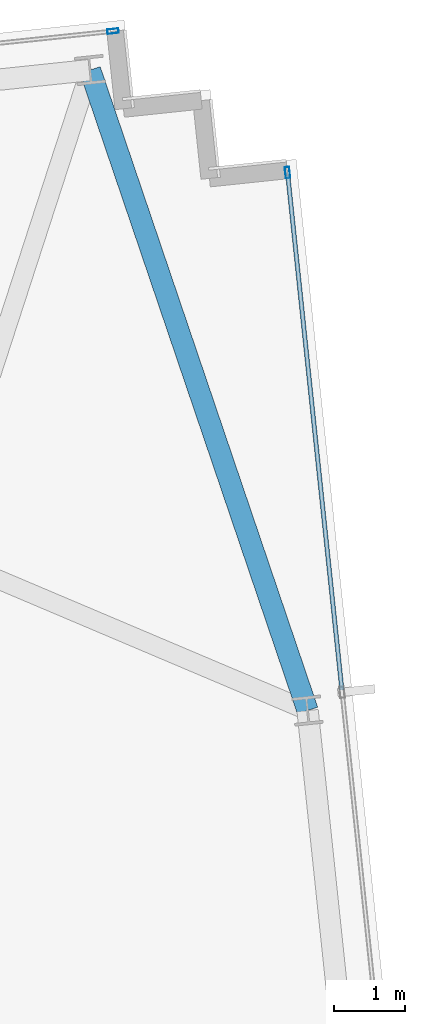
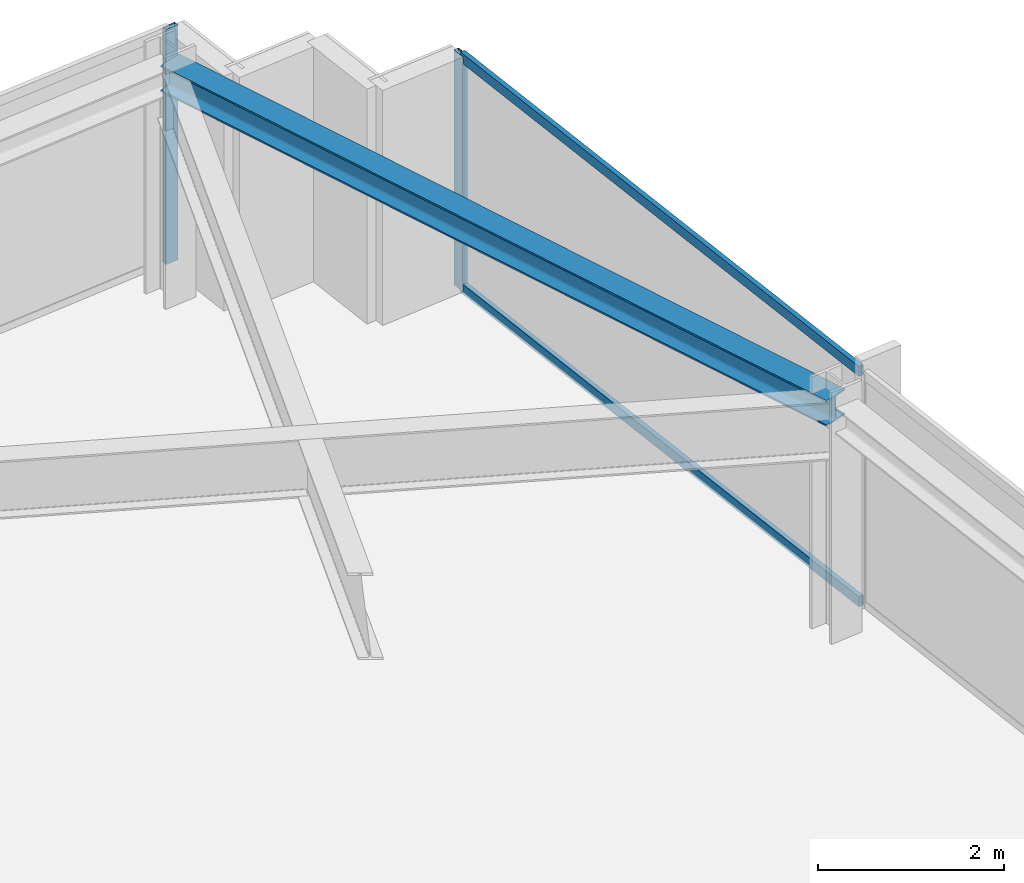
# One storey, part 25 of 32: 4 members, 1 beam, 2 elements without a shape of their own.
"""IFC4 building model written with IfcOpenShell, lengths in metres."""

from ifc_helpers import new_model, si_unit, direction, frame, origin, origin_2d, place, context, subcontext, project, spatial, hollow_rectangle, i_section, extrude, material, material_profile, profile_set, type_object, element, aggregate, save


model = new_model("IFC4")

# Units and contexts
model_context = context("Model", 3, precision=1e-05, world=origin(), true_north=direction((0.0, 1.0)))
body_context = subcontext(model_context, "Body", "Model", "MODEL_VIEW")
ifc_project = project(units=[si_unit("LENGTHUNIT", "METRE"), si_unit("AREAUNIT", "SQUARE_METRE"), si_unit("VOLUMEUNIT", "CUBIC_METRE"), si_unit("PLANEANGLEUNIT", "RADIAN"), si_unit("MASSUNIT", "GRAM", prefix="KILO")], contexts=[model_context])

# Site, building, storey
site_placement = place(None, origin())
site = spatial("IfcSite", under=ifc_project, at=site_placement, CompositionType="ELEMENT")
building_placement = place(site_placement, origin())
building = spatial("IfcBuilding", under=site, at=building_placement, Name="Yelkora Congress Tower", CompositionType="ELEMENT")
storey_placement = place(building_placement, frame((0.0, 0.0, 207.800048828125)))
storey = spatial("IfcBuildingStorey", under=building, at=storey_placement, Name="L57", CompositionType="ELEMENT", Elevation=207.800048828125)

# Beam
ifc_material_1 = material(Name="Steel S355J2", Category="steel")
ifc_material_profile_1 = material_profile(ifc_material_1, i_section(OverallWidth=0.300048828125, OverallDepth=0.340087890625, WebThickness=0.011962890625, FlangeThickness=0.021484375, FilletRadius=0.027099609375, at=origin_2d()), Name="HEB 340")
ifc_profile_set_1 = profile_set([ifc_material_profile_1], Name="Steel S355J2")
beam_type = type_object("IfcBeamType", Name="BM-SPAN-HEB340", PredefinedType="SPANDREL", material=ifc_profile_set_1)
beam_placement = place(storey_placement, frame((68.85400390625, 41.431884765625, 2.909912109375), z_axis=(-0.321575477611, 0.946883948644, 0.0), x_axis=(-0.946883948644, -0.321575477611, 0.0)))
element("IfcBeam", 1, at=beam_placement, inside=storey, type_object=beam_type, Name="L57 Perimeter Beam 12", PredefinedType="SPANDREL", context=body_context, shape_type="SweptSolid", body=[
    extrude(i_section(OverallWidth=0.300048828125, OverallDepth=0.340087890625, WebThickness=0.011962890625, FlangeThickness=0.021484375, FilletRadius=0.027099609375, at=origin_2d()), origin(), (0.0, 0.0, 1.0), 9.509765625),
])

# Curtain wall, member
ifc_material_2 = material(Name="Anodised aluminium and insulated glass", Category="aluminium")
curtain_wall_type = type_object("IfcCurtainWallType", Name="CW-SYS-B4", PredefinedType="NOTDEFINED", material=ifc_material_2)
curtain_wall_1_placement = place(storey_placement, origin())
curtain_wall_1 = element("IfcCurtainWall", 2, at=curtain_wall_1_placement, inside=storey, type_object=curtain_wall_type, Name="L57 Unitised Curtain Wall 10 (3)", PredefinedType="NOTDEFINED")
ifc_material_3 = material(Name="Anodised aluminium 6063-T6", Category="aluminium")
ifc_material_profile_2 = material_profile(ifc_material_3, hollow_rectangle(XDim=0.06494140625, YDim=0.159912109375, WallThickness=0.00390625, at=origin_2d()), Name="ALU 65x160x4")
ifc_profile_set_2 = profile_set([ifc_material_profile_2], Name="Anodised aluminium 6063-T6")
member_type_1 = type_object("IfcMemberType", Name="MEM-ML-B4", PredefinedType="MULLION", material=ifc_profile_set_2)
member_1_placement = place(storey_placement, frame((66.1181640625, 50.983154296875, 0.0), z_axis=(0.0, 0.0, 1.0), x_axis=(-0.104527724021, 0.994521973066, 0.0)))
member_1 = element("IfcMember", 3, at=member_1_placement, type_object=member_type_1, Name="CW-B4 mullion 7", PredefinedType="MULLION", context=body_context, shape_type="SweptSolid", body=[
    extrude(hollow_rectangle(XDim=0.06494140625, YDim=0.159912109375, WallThickness=0.00390625, at=origin_2d()), origin(), (0.0, 0.0, 1.0), 3.079833984375),
])
aggregate(curtain_wall_1, [member_1])

# Curtain wall, members
curtain_wall_2_placement = place(storey_placement, origin())
curtain_wall_2 = element("IfcCurtainWall", 4, at=curtain_wall_2_placement, inside=storey, type_object=curtain_wall_type, Name="L57 Unitised Curtain Wall 15", PredefinedType="NOTDEFINED")
member_2_placement = place(storey_placement, frame((68.57177734375, 48.996337890625, 0.0), z_axis=(0.0, 0.0, 1.0), x_axis=(0.994522182968, 0.104525726898, 0.0)))
member_2 = element("IfcMember", 5, at=member_2_placement, type_object=member_type_1, Name="CW-B4 mullion 1", PredefinedType="MULLION", context=body_context, shape_type="SweptSolid", body=[
    extrude(hollow_rectangle(XDim=0.06494140625, YDim=0.159912109375, WallThickness=0.00390625, at=origin_2d()), origin(), (0.0, 0.0, 1.0), 3.079833984375),
])
ifc_material_profile_3 = material_profile(ifc_material_3, hollow_rectangle(XDim=0.06005859375, YDim=0.1298828125, WallThickness=0.00390625, at=origin_2d()), Name="ALU 60x130x4")
ifc_profile_set_3 = profile_set([ifc_material_profile_3], Name="Anodised aluminium 6063-T6")
member_type_2 = type_object("IfcMemberType", Name="MEM-TR-B4", PredefinedType="USERDEFINED", material=ifc_profile_set_3)
member_3_placement = place(storey_placement, frame((68.5751953125, 48.9638671875, 0.030029296875), z_axis=(0.104531210832, -0.994521606584, 0.0), x_axis=(0.994521606584, 0.104531210832, 0.0)))
member_3 = element("IfcMember", 6, at=member_3_placement, type_object=member_type_2, Name="CW-B4 transom 1.1", ObjectType="TRANSOM", PredefinedType="USERDEFINED", context=body_context, shape_type="SweptSolid", body=[
    extrude(hollow_rectangle(XDim=0.06005859375, YDim=0.1298828125, WallThickness=0.00390625, at=origin_2d()), origin(), (0.0, 0.0, 1.0), 7.2822265625),
])
member_4_placement = place(storey_placement, frame((68.5751953125, 48.9638671875, 3.050048828125), z_axis=(0.104531210832, -0.994521606584, 0.0), x_axis=(0.994521606584, 0.104531210832, 0.0)))
member_4 = element("IfcMember", 7, at=member_4_placement, type_object=member_type_2, Name="CW-B4 transom 1.2", ObjectType="TRANSOM", PredefinedType="USERDEFINED", context=body_context, shape_type="SweptSolid", body=[
    extrude(hollow_rectangle(XDim=0.06005859375, YDim=0.1298828125, WallThickness=0.00390625, at=origin_2d()), origin(), (0.0, 0.0, 1.0), 7.2822265625),
])
aggregate(curtain_wall_2, [member_2, member_3, member_4])

save(model, "model.ifc")
